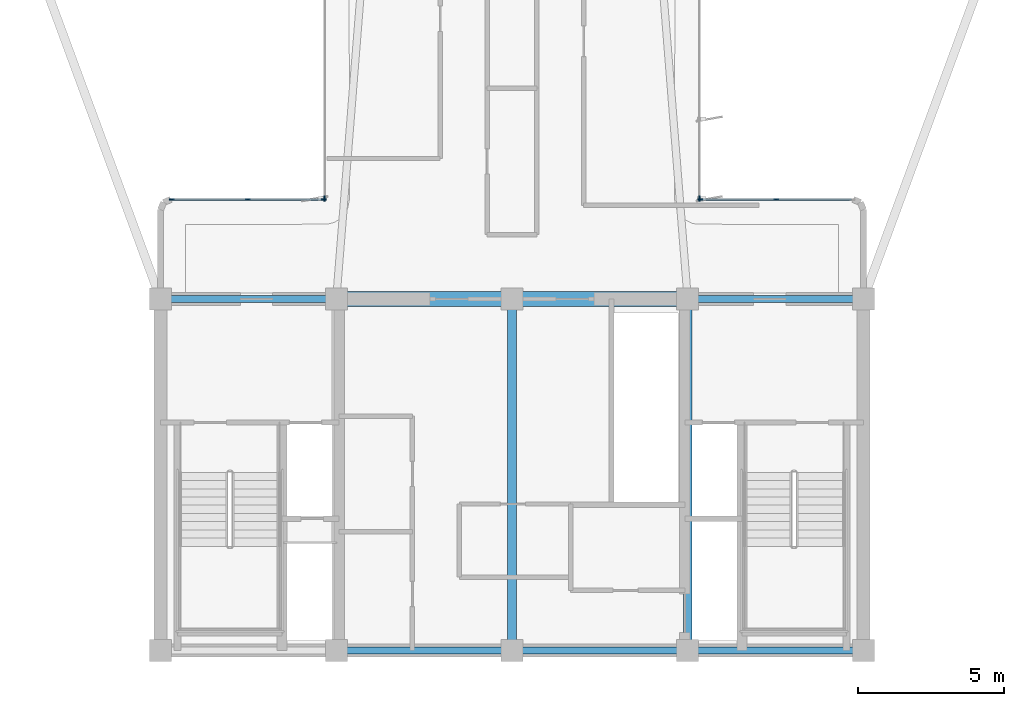
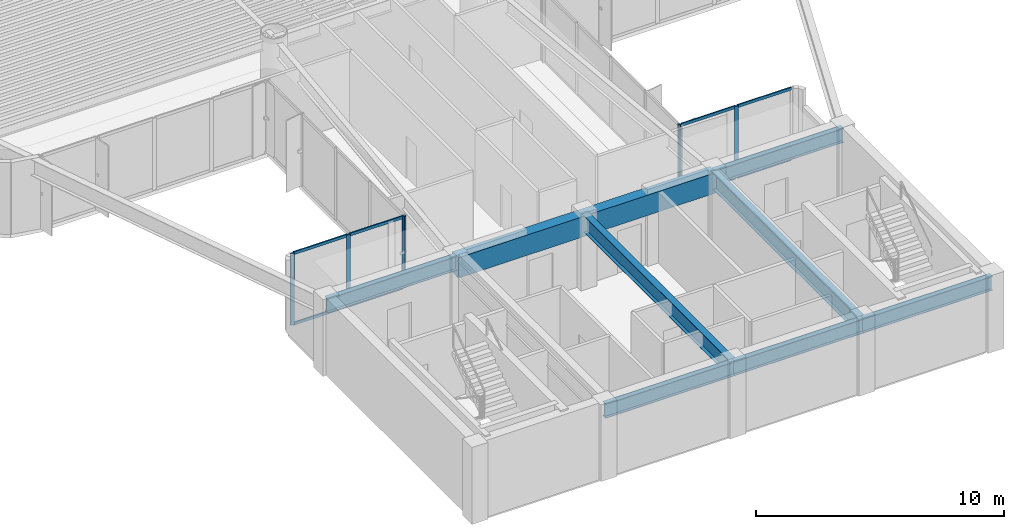
# One storey, part 2 of 13: 15 members, 8 beams, 4 elements without a shape of their own.
"""IFC4 building model written with IfcOpenShell, lengths in metres."""

from ifc_helpers import new_model, si_unit, direction, frame, origin, origin_2d, place, context, subcontext, project, spatial, rectangle, i_section, extrude, source, transform, mapped, material, layer, layer_set, material_profile, profile_set, type_object, element, aggregate, save


model = new_model("IFC4")

# Units and contexts
model_context = context("Model", 3, precision=1e-05, world=origin(), true_north=direction((0.0, 1.0)))
body_context = subcontext(model_context, "Body", "Model", "MODEL_VIEW")
ifc_project = project(units=[si_unit("LENGTHUNIT", "METRE"), si_unit("AREAUNIT", "SQUARE_METRE"), si_unit("VOLUMEUNIT", "CUBIC_METRE"), si_unit("PLANEANGLEUNIT", "RADIAN"), si_unit("MASSUNIT", "GRAM", prefix="KILO")], contexts=[model_context])

# Site, building, storey
site_placement = place(None, origin())
site = spatial("IfcSite", under=ifc_project, at=site_placement, CompositionType="ELEMENT")
building_placement = place(site_placement, origin())
building = spatial("IfcBuilding", under=site, at=building_placement, Name="Brelvock Crest Care Tower", CompositionType="ELEMENT")
storey_placement = place(building_placement, frame((0.0, 0.0, 186.659912109375)))
storey = spatial("IfcBuildingStorey", under=building, at=storey_placement, Name="L47", CompositionType="ELEMENT", Elevation=186.659912109375)

# Beams
ifc_material_1 = material(Name="Steel Grade 350", Category="steel")
ifc_material_profile_1 = material_profile(ifc_material_1, i_section(OverallWidth=0.25, OverallDepth=0.699951171875, WebThickness=0.011962890625, FlangeThickness=0.02001953125, at=origin_2d()), Name="700WB150")
ifc_profile_set_1 = profile_set([ifc_material_profile_1], Name="Steel Grade 350")
beam_type_1 = type_object("IfcBeamType", Name="BM-G4", PredefinedType="BEAM", material=ifc_profile_set_1)
shared_shape_1 = source(origin(), body_context, "Body", "SweptSolid", [
    extrude(i_section(OverallWidth=0.25, OverallDepth=0.699951171875, WebThickness=0.011962890625, FlangeThickness=0.02001953125, at=origin_2d()), origin(), (0.0, 0.0, 1.0), 6.0),
])
for number, where, z_axis, x_axis, name in (
    (1, (24.0, 18.0, 3.18017578125), (1.0, 0.0, 0.0), (0.0, 1.0, 0.0), "BM-COREN-L47-1"),
    (2, (30.0, 6.0, 3.18017578125), (1.0, 0.0, 0.0), (0.0, 1.0, 0.0), "BM-CORES-L47-2"),
    (3, (36.0, 6.0, 3.18017578125), (1.0, 0.0, 0.0), (0.0, 1.0, 0.0), "BM-CORES-L47-3"),
    (4, (42.0, 6.0, 3.18017578125), (1.0, 0.0, 0.0), (0.0, 1.0, 0.0), "BM-CORES-L47-4"),
    (5, (42.0, 18.0, 3.18017578125), (1.0, 0.0, 0.0), (0.0, 1.0, 0.0), "BM-COREN-L47-4"),
):
    element("IfcBeam", number, at=place(storey_placement, frame(where, z_axis=z_axis, x_axis=x_axis)), inside=storey, type_object=beam_type_1, Name=name, PredefinedType="BEAM", context=body_context, shape_type="MappedRepresentation", body=[
        mapped(shared_shape_1, transform((0.0, 0.0, 0.0), x_axis=(1.0, 0.0, 0.0), y_axis=(0.0, 1.0, 0.0), z_axis=(0.0, 0.0, 1.0), scale=1.0)),
    ])
ifc_material_profile_2 = material_profile(ifc_material_1, i_section(OverallWidth=0.300048828125, OverallDepth=0.800048828125, WebThickness=0.013916015625, FlangeThickness=0.02197265625, at=origin_2d()), Name="800WB192")
ifc_profile_set_2 = profile_set([ifc_material_profile_2], Name="Steel Grade 350")
beam_type_2 = type_object("IfcBeamType", Name="BM-G5", PredefinedType="BEAM", material=ifc_profile_set_2)
shared_shape_2 = source(origin(), body_context, "Body", "SweptSolid", [
    extrude(i_section(OverallWidth=0.300048828125, OverallDepth=0.800048828125, WebThickness=0.013916015625, FlangeThickness=0.02197265625, at=origin_2d()), origin(), (0.0, 0.0, 1.0), 12.0),
])
for number, where, z_axis, x_axis, name in (
    (6, (36.0, 6.0, 3.130126953125), (0.0, 1.0, 0.0), (-1.0, 0.0, 0.0), "BM-COREX-L47-3"),
    (7, (42.0, 6.0, 3.130126953125), (0.0, 1.0, 0.0), (-1.0, 0.0, 0.0), "BM-COREX-L47-4"),
):
    element("IfcBeam", number, at=place(storey_placement, frame(where, z_axis=z_axis, x_axis=x_axis)), inside=storey, type_object=beam_type_2, Name=name, PredefinedType="BEAM", context=body_context, shape_type="MappedRepresentation", body=[
        mapped(shared_shape_2, transform((0.0, 0.0, 0.0), x_axis=(1.0, 0.0, 0.0), y_axis=(0.0, 1.0, 0.0), z_axis=(0.0, 0.0, 1.0), scale=1.0)),
    ])
ifc_material_2 = material(Name="Concrete S65 (65 MPa)", Category="concrete")
ifc_material_profile_3 = material_profile(ifc_material_2, rectangle(XDim=0.5, YDim=1.0, at=origin_2d()), Name="RC500x1000")
ifc_profile_set_3 = profile_set([ifc_material_profile_3], Name="Concrete S65 (65 MPa)")
beam_type_3 = type_object("IfcBeamType", Name="BM-LN2", PredefinedType="LINTEL", material=ifc_profile_set_3)
shared_shape_3 = source(origin(), body_context, "Body", "SweptSolid", [
    extrude(rectangle(XDim=0.5, YDim=1.0, at=origin_2d()), origin(), (0.0, 0.0, 1.0), 12.0),
])
beam_placement = place(storey_placement, frame((30.0, 18.0, 3.030029296875), z_axis=(1.0, 0.0, 0.0), x_axis=(0.0, 1.0, 0.0)))
element("IfcBeam", 8, at=beam_placement, inside=storey, type_object=beam_type_3, Name="L47 Core Coupling Lintel Beam", PredefinedType="LINTEL", context=body_context, shape_type="MappedRepresentation", body=[
    mapped(shared_shape_3, transform((0.0, 0.0, 0.0), x_axis=(1.0, 0.0, 0.0), y_axis=(0.0, 1.0, 0.0), z_axis=(0.0, 0.0, 1.0), scale=1.0)),
])

# Curtain wall, members
ifc_material_3 = material(Name="Dark Glass Double Glazed Low-E", Category="glass")
ifc_layer = layer(ifc_material_3, 0.22509765625, Name="CWS-4")
ifc_layer_set = layer_set([ifc_layer], Name="Dark Glass Double Glazed Low-E")
curtain_wall_type = type_object("IfcCurtainWallType", Name="CWS-4", PredefinedType="NOTDEFINED", material=ifc_layer_set)
curtain_wall_1_placement = place(storey_placement, origin())
curtain_wall_1 = element("IfcCurtainWall", 9, at=curtain_wall_1_placement, inside=storey, type_object=curtain_wall_type, Name="L47 Curtain Wall E10", PredefinedType="NOTDEFINED")
ifc_material_4 = material(Name="Aluminium 6063-T6", Category="aluminium")
ifc_material_profile_4 = material_profile(ifc_material_4, rectangle(XDim=0.06005859375, YDim=0.179931640625, at=origin_2d()), Name="ALU60x180")
ifc_profile_set_4 = profile_set([ifc_material_profile_4], Name="Aluminium 6063-T6")
member_type_1 = type_object("IfcMemberType", Name="CWM-2", PredefinedType="MULLION", material=ifc_profile_set_4)
shared_shape_4 = source(origin(), body_context, "Body", "SweptSolid", [
    extrude(rectangle(XDim=0.06005859375, YDim=0.179931640625, at=origin_2d()), origin(), (0.0, 0.0, 1.0), 3.530029296875),
])
member_1_placement = place(storey_placement, frame((24.3798828125, 21.39990234375, 0.0), z_axis=(0.0, 0.0, 1.0), x_axis=(0.0, 1.0, 0.0)))
member_1 = element("IfcMember", 10, at=member_1_placement, type_object=member_type_1, Name="CW-4 mullion 1", PredefinedType="MULLION", context=body_context, shape_type="MappedRepresentation", body=[
    mapped(shared_shape_4, transform((0.0, 0.0, 0.0), x_axis=(1.0, 0.0, 0.0), y_axis=(0.0, 1.0, 0.0), z_axis=(0.0, 0.0, 1.0), scale=1.0)),
])
member_2_placement = place(storey_placement, frame((26.97509765625, 21.39990234375, 0.0), z_axis=(0.0, 0.0, 1.0), x_axis=(0.0, 1.0, 0.0)))
member_2 = element("IfcMember", 11, at=member_2_placement, type_object=member_type_1, Name="CW-4 mullion 2", PredefinedType="MULLION", context=body_context, shape_type="MappedRepresentation", body=[
    mapped(shared_shape_4, transform((0.0, 0.0, 0.0), x_axis=(1.0, 0.0, 0.0), y_axis=(0.0, 1.0, 0.0), z_axis=(0.0, 0.0, 1.0), scale=1.0)),
])
member_3_placement = place(storey_placement, frame((29.570068359375, 21.39990234375, 0.0), z_axis=(0.0, 0.0, 1.0), x_axis=(0.0, 1.0, 0.0)))
member_3 = element("IfcMember", 12, at=member_3_placement, type_object=member_type_1, Name="CW-4 mullion 3", PredefinedType="MULLION", context=body_context, shape_type="MappedRepresentation", body=[
    mapped(shared_shape_4, transform((0.0, 0.0, 0.0), x_axis=(1.0, 0.0, 0.0), y_axis=(0.0, 1.0, 0.0), z_axis=(0.0, 0.0, 1.0), scale=1.0)),
])

# Curtain wall, member
curtain_wall_2_placement = place(storey_placement, origin())
curtain_wall_2 = element("IfcCurtainWall", 13, at=curtain_wall_2_placement, inside=storey, type_object=curtain_wall_type, Name="L47 Curtain Wall E11", PredefinedType="NOTDEFINED")
member_4_placement = place(storey_placement, frame((29.60009765625, 21.429931640625, 0.0), z_axis=(0.0, 0.0, 1.0), x_axis=(-1.0, 0.0, 0.0)))
member_4 = element("IfcMember", 14, at=member_4_placement, type_object=member_type_1, Name="CW-4 mullion 1", PredefinedType="MULLION", context=body_context, shape_type="MappedRepresentation", body=[
    mapped(shared_shape_4, transform((0.0, 0.0, 0.0), x_axis=(1.0, 0.0, 0.0), y_axis=(0.0, 1.0, 0.0), z_axis=(0.0, 0.0, 1.0), scale=1.0)),
])
aggregate(curtain_wall_2, [member_4])

curtain_wall_3_placement = place(storey_placement, origin())
curtain_wall_3 = element("IfcCurtainWall", 15, at=curtain_wall_3_placement, inside=storey, type_object=curtain_wall_type, Name="L47 Curtain Wall E45", PredefinedType="NOTDEFINED")
member_5_placement = place(storey_placement, frame((42.39990234375, 21.429931640625, 0.0), z_axis=(0.0, 0.0, 1.0), x_axis=(1.0, 0.0, 0.0)))
member_5 = element("IfcMember", 16, at=member_5_placement, type_object=member_type_1, Name="CW-4 mullion 5", PredefinedType="MULLION", context=body_context, shape_type="MappedRepresentation", body=[
    mapped(shared_shape_4, transform((0.0, 0.0, 0.0), x_axis=(1.0, 0.0, 0.0), y_axis=(0.0, 1.0, 0.0), z_axis=(0.0, 0.0, 1.0), scale=1.0)),
])
aggregate(curtain_wall_3, [member_5])

# Curtain wall, members
curtain_wall_4_placement = place(storey_placement, origin())
curtain_wall_4 = element("IfcCurtainWall", 17, at=curtain_wall_4_placement, inside=storey, type_object=curtain_wall_type, Name="L47 Curtain Wall E46", PredefinedType="NOTDEFINED")
member_6_placement = place(storey_placement, frame((42.429931640625, 21.39990234375, 0.0), z_axis=(0.0, 0.0, 1.0), x_axis=(0.0, 1.0, 0.0)))
member_6 = element("IfcMember", 18, at=member_6_placement, type_object=member_type_1, Name="CW-4 mullion 1", PredefinedType="MULLION", context=body_context, shape_type="MappedRepresentation", body=[
    mapped(shared_shape_4, transform((0.0, 0.0, 0.0), x_axis=(1.0, 0.0, 0.0), y_axis=(0.0, 1.0, 0.0), z_axis=(0.0, 0.0, 1.0), scale=1.0)),
])
member_7_placement = place(storey_placement, frame((45.02490234375, 21.39990234375, 0.0), z_axis=(0.0, 0.0, 1.0), x_axis=(0.0, 1.0, 0.0)))
member_7 = element("IfcMember", 19, at=member_7_placement, type_object=member_type_1, Name="CW-4 mullion 2", PredefinedType="MULLION", context=body_context, shape_type="MappedRepresentation", body=[
    mapped(shared_shape_4, transform((0.0, 0.0, 0.0), x_axis=(1.0, 0.0, 0.0), y_axis=(0.0, 1.0, 0.0), z_axis=(0.0, 0.0, 1.0), scale=1.0)),
])

# Member
ifc_material_profile_5 = material_profile(ifc_material_4, rectangle(XDim=0.06005859375, YDim=0.139892578125, at=origin_2d()), Name="ALU60x140")
ifc_profile_set_5 = profile_set([ifc_material_profile_5], Name="Aluminium 6063-T6")
member_type_2 = type_object("IfcMemberType", Name="CWT-2", PredefinedType="USERDEFINED", material=ifc_profile_set_5)
shared_shape_5 = source(origin(), body_context, "Body", "SweptSolid", [
    extrude(rectangle(XDim=0.06005859375, YDim=0.139892578125, at=origin_2d()), origin(), (0.0, 0.0, 1.0), 2.53515625),
])
member_8_placement = place(storey_placement, frame((24.409912109375, 21.39990234375, 0.030029296875), z_axis=(1.0, 0.0, 0.0), x_axis=(0.0, 1.0, 0.0)))
member_8 = element("IfcMember", 20, at=member_8_placement, type_object=member_type_2, Name="CW-4 transom 1.1", ObjectType="TRANSOM", PredefinedType="USERDEFINED", context=body_context, shape_type="MappedRepresentation", body=[
    mapped(shared_shape_5, transform((0.0, 0.0, 0.0), x_axis=(1.0, 0.0, 0.0), y_axis=(0.0, 1.0, 0.0), z_axis=(0.0, 0.0, 1.0), scale=1.0)),
])

member_9_placement = place(storey_placement, frame((24.409912109375, 21.39990234375, 3.5), z_axis=(1.0, 0.0, 0.0), x_axis=(0.0, 1.0, 0.0)))
member_9 = element("IfcMember", 21, at=member_9_placement, type_object=member_type_2, Name="CW-4 transom 1.2", ObjectType="TRANSOM", PredefinedType="USERDEFINED", context=body_context, shape_type="MappedRepresentation", body=[
    mapped(shared_shape_5, transform((0.0, 0.0, 0.0), x_axis=(1.0, 0.0, 0.0), y_axis=(0.0, 1.0, 0.0), z_axis=(0.0, 0.0, 1.0), scale=1.0)),
])

member_10_placement = place(storey_placement, frame((27.0048828125, 21.39990234375, 0.030029296875), z_axis=(1.0, 0.0, 0.0), x_axis=(0.0, 1.0, 0.0)))
member_10 = element("IfcMember", 22, at=member_10_placement, type_object=member_type_2, Name="CW-4 transom 2.1", ObjectType="TRANSOM", PredefinedType="USERDEFINED", context=body_context, shape_type="MappedRepresentation", body=[
    mapped(shared_shape_5, transform((0.0, 0.0, 0.0), x_axis=(1.0, 0.0, 0.0), y_axis=(0.0, 1.0, 0.0), z_axis=(0.0, 0.0, 1.0), scale=1.0)),
])

member_11_placement = place(storey_placement, frame((27.0048828125, 21.39990234375, 3.5), z_axis=(1.0, 0.0, 0.0), x_axis=(0.0, 1.0, 0.0)))
member_11 = element("IfcMember", 23, at=member_11_placement, type_object=member_type_2, Name="CW-4 transom 2.2", ObjectType="TRANSOM", PredefinedType="USERDEFINED", context=body_context, shape_type="MappedRepresentation", body=[
    mapped(shared_shape_5, transform((0.0, 0.0, 0.0), x_axis=(1.0, 0.0, 0.0), y_axis=(0.0, 1.0, 0.0), z_axis=(0.0, 0.0, 1.0), scale=1.0)),
])

aggregate(curtain_wall_1, [member_1, member_2, member_3, member_8, member_9, member_10, member_11])

member_12_placement = place(storey_placement, frame((42.4599609375, 21.39990234375, 0.030029296875), z_axis=(1.0, 0.0, 0.0), x_axis=(0.0, 1.0, 0.0)))
member_12 = element("IfcMember", 24, at=member_12_placement, type_object=member_type_2, Name="CW-4 transom 1.1", ObjectType="TRANSOM", PredefinedType="USERDEFINED", context=body_context, shape_type="MappedRepresentation", body=[
    mapped(shared_shape_5, transform((0.0, 0.0, 0.0), x_axis=(1.0, 0.0, 0.0), y_axis=(0.0, 1.0, 0.0), z_axis=(0.0, 0.0, 1.0), scale=1.0)),
])

member_13_placement = place(storey_placement, frame((42.4599609375, 21.39990234375, 3.5), z_axis=(1.0, 0.0, 0.0), x_axis=(0.0, 1.0, 0.0)))
member_13 = element("IfcMember", 25, at=member_13_placement, type_object=member_type_2, Name="CW-4 transom 1.2", ObjectType="TRANSOM", PredefinedType="USERDEFINED", context=body_context, shape_type="MappedRepresentation", body=[
    mapped(shared_shape_5, transform((0.0, 0.0, 0.0), x_axis=(1.0, 0.0, 0.0), y_axis=(0.0, 1.0, 0.0), z_axis=(0.0, 0.0, 1.0), scale=1.0)),
])

member_14_placement = place(storey_placement, frame((45.054931640625, 21.39990234375, 0.030029296875), z_axis=(1.0, 0.0, 0.0), x_axis=(0.0, 1.0, 0.0)))
member_14 = element("IfcMember", 26, at=member_14_placement, type_object=member_type_2, Name="CW-4 transom 2.1", ObjectType="TRANSOM", PredefinedType="USERDEFINED", context=body_context, shape_type="MappedRepresentation", body=[
    mapped(shared_shape_5, transform((0.0, 0.0, 0.0), x_axis=(1.0, 0.0, 0.0), y_axis=(0.0, 1.0, 0.0), z_axis=(0.0, 0.0, 1.0), scale=1.0)),
])

member_15_placement = place(storey_placement, frame((45.054931640625, 21.39990234375, 3.5), z_axis=(1.0, 0.0, 0.0), x_axis=(0.0, 1.0, 0.0)))
member_15 = element("IfcMember", 27, at=member_15_placement, type_object=member_type_2, Name="CW-4 transom 2.2", ObjectType="TRANSOM", PredefinedType="USERDEFINED", context=body_context, shape_type="MappedRepresentation", body=[
    mapped(shared_shape_5, transform((0.0, 0.0, 0.0), x_axis=(1.0, 0.0, 0.0), y_axis=(0.0, 1.0, 0.0), z_axis=(0.0, 0.0, 1.0), scale=1.0)),
])

aggregate(curtain_wall_4, [member_6, member_7, member_12, member_13, member_14, member_15])

save(model, "model.ifc")
